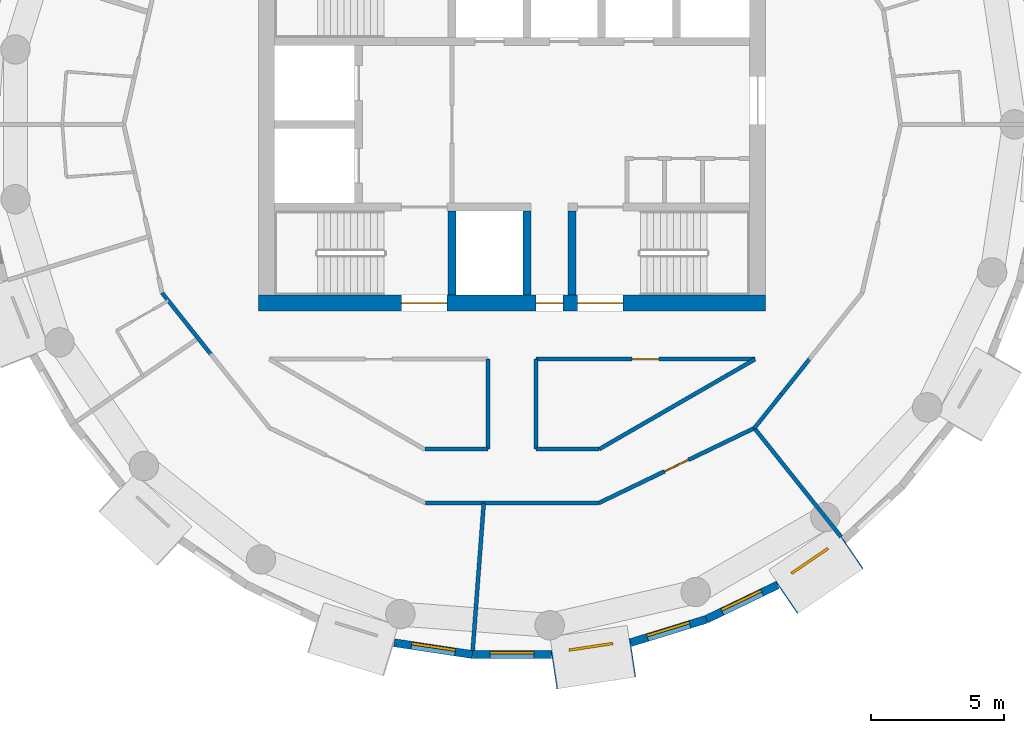
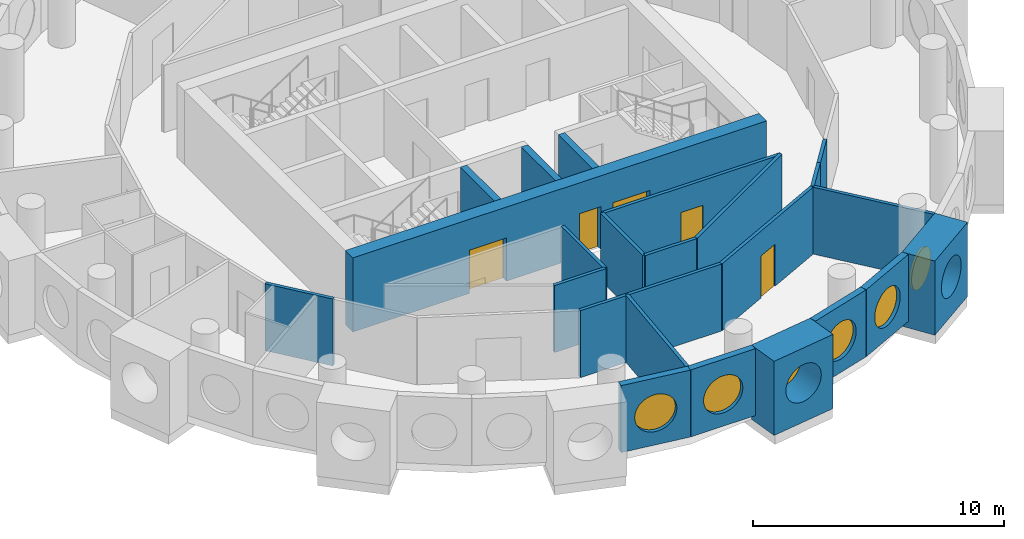
# One storey, part 4 of 12: 23 walls, 6 windows, 5 doors, 11 openings.
"""IFC4 building model written with IfcOpenShell, lengths in metres."""

import ifcopenshell
import ifcopenshell.guid

model = None  # the IFC model being written
_history = None  # IfcOwnerHistory: only IFC2X3 demands one
_inside = {}  # id of a spatial element -> (the spatial element, [elements in it])
_under = {}  # id of a project, library or spatial element -> (it, [spatial elements below it])
_declared = {}  # id of a project -> (the project, [libraries it declares])
_typed = {}  # id of a type object -> (the type object, [elements of that type])
_made_of = {}  # id of a material, layer set ... -> (it, [elements and type objects made of it])


def new_model(schema):
    """Start an empty IFC model of exactly this schema.

    Asked for "IFC4X3", IfcOpenShell would pick the latest addendum, in which some entities
    have other attributes; the version numbers below select the first issue.
    IFC2X3 requires an IfcOwnerHistory on every rooted entity: one is made here for all.
    """
    global model, _history
    if schema == "IFC4X3":
        model = ifcopenshell.file(schema_version=(4, 3, 0, 0))
    else:
        model = ifcopenshell.file(schema=schema)
    _inside.clear()
    _under.clear()
    _declared.clear()
    _typed.clear()
    _made_of.clear()
    _history = None
    if model.schema == "IFC2X3":
        org = make("IfcOrganization", Name="unknown")
        user = make(
            "IfcPersonAndOrganization",
            ThePerson=make("IfcPerson", FamilyName="unknown"),
            TheOrganization=org,
        )
        app = make(
            "IfcApplication",
            ApplicationDeveloper=org,
            Version="unknown",
            ApplicationFullName="unknown",
            ApplicationIdentifier="unknown",
        )
        _history = make(
            "IfcOwnerHistory",
            OwningUser=user,
            OwningApplication=app,
            ChangeAction="ADDED",
            CreationDate=0,
        )
    return model


def make(cls, **values):
    """One entity of the class cls with the attributes given. An attribute that is None is left unset."""
    return model.create_entity(
        cls, **{name: value for name, value in values.items() if value is not None}
    )


def rooted(cls, **values):
    """An entity with a GlobalId (a new one), such as an element, a storey or a relation."""
    return make(cls, GlobalId=ifcopenshell.guid.new(), OwnerHistory=_history, **values)


def si_unit(unit_type, name, prefix=None):
    """IfcSIUnit, for example si_unit("LENGTHUNIT", "METRE", prefix="MILLI")."""
    return make("IfcSIUnit", UnitType=unit_type, Prefix=prefix, Name=name)


def assignment(units):
    """IfcUnitAssignment: the units of a project."""
    return None if units is None else make("IfcUnitAssignment", Units=units)


def point(xyz):
    """IfcCartesianPoint."""
    return None if xyz is None else make("IfcCartesianPoint", Coordinates=xyz)


def direction(xyz):
    """IfcDirection."""
    return None if xyz is None else make("IfcDirection", DirectionRatios=xyz)


def frame(location, z_axis=None, x_axis=None):
    """IfcAxis2Placement3D, a coordinate frame: its origin and axes. An axis left out is left unset."""
    return make(
        "IfcAxis2Placement3D",
        Location=point(location),
        Axis=direction(z_axis),
        RefDirection=direction(x_axis),
    )


def frame_2d(location, x_axis=None):
    """IfcAxis2Placement2D, a coordinate frame in the plane: its origin and x axis."""
    return make(
        "IfcAxis2Placement2D", Location=point(location), RefDirection=direction(x_axis)
    )


def origin():
    """The frame at (0, 0, 0) with its axes left unset."""
    return frame((0.0, 0.0, 0.0))


def origin_2d():
    """The frame at (0, 0) in the plane with its x axis left unset."""
    return frame_2d((0.0, 0.0))


def place(relative_to, where):
    """IfcLocalPlacement: puts the frame where relative to a parent placement (None: the world)."""
    return make(
        "IfcLocalPlacement", PlacementRelTo=relative_to, RelativePlacement=where
    )


def context(
    kind, dimensions, precision=None, world=None, true_north=None, identifier=None
):
    """IfcGeometricRepresentationContext, for example the 3D "Model" context."""
    return make(
        "IfcGeometricRepresentationContext",
        ContextIdentifier=identifier,
        ContextType=kind,
        CoordinateSpaceDimension=dimensions,
        Precision=precision,
        WorldCoordinateSystem=world,
        TrueNorth=true_north,
    )


def subcontext(parent, identifier, kind, view, scale=None):
    """IfcGeometricRepresentationSubContext, for example "Body" below "Model"."""
    return make(
        "IfcGeometricRepresentationSubContext",
        ContextIdentifier=identifier,
        ContextType=kind,
        ParentContext=parent,
        TargetScale=scale,
        TargetView=view,
    )


def project(units=None, contexts=None):
    """IfcProject with its units and contexts."""
    return rooted(
        "IfcProject",
        Name="project",
        RepresentationContexts=contexts,
        UnitsInContext=assignment(units),
    )


def spatial(cls, under=None, at=None, **own):
    """A site, building, storey or space (cls), placed at a placement, below another one or the project."""
    s = rooted(cls, ObjectPlacement=at, **own)
    if under is not None:
        _under.setdefault(under.id(), (under, []))[1].append(s)
    return s


def profile(cls, at=None, kind="AREA", **sizes):
    """A parametric profile (cls). Its sizes go by their IFC names, for example OverallWidth=200.0."""
    return make(cls, ProfileType=kind, Position=at, **sizes)


def rectangle(**sizes):
    """IfcRectangleProfileDef."""
    return profile("IfcRectangleProfileDef", **sizes)


def circle(**sizes):
    """IfcCircleProfileDef."""
    return profile("IfcCircleProfileDef", **sizes)


def extrude(swept, where, along, depth):
    """IfcExtrudedAreaSolid: the profile swept, set in the frame where, extruded along a direction by depth."""
    return make(
        "IfcExtrudedAreaSolid",
        SweptArea=swept,
        Position=where,
        ExtrudedDirection=direction(along),
        Depth=depth,
    )


def shape(context_of_items, identifier, shape_type, items):
    """IfcShapeRepresentation: the items that make up one representation, for example the "Body"."""
    return make(
        "IfcShapeRepresentation",
        ContextOfItems=context_of_items,
        RepresentationIdentifier=identifier,
        RepresentationType=shape_type,
        Items=items,
    )


def material(Name=None, Category=None):
    """IfcMaterial."""
    return make("IfcMaterial", Name=Name, Category=Category)


def layer(
    of_material, thickness, ventilated=None, Name=None, Category=None, Priority=None
):
    """IfcMaterialLayer: one layer of a wall or slab, of a material (None: an air gap)."""
    return make(
        "IfcMaterialLayer",
        Material=of_material,
        LayerThickness=thickness,
        IsVentilated=ventilated,
        Name=Name,
        Category=Category,
        Priority=Priority,
    )


def layer_set(layers, Name=None):
    """IfcMaterialLayerSet."""
    return make("IfcMaterialLayerSet", MaterialLayers=layers, LayerSetName=Name)


def made_of(thing, what):
    """Note that an element or type object is made of a material, layer set ...; save() writes the relation."""
    if what is not None:
        _made_of.setdefault(what.id(), (what, []))[1].append(thing)
    return thing


def type_object(cls, material=None, **own):
    """A type object (cls), such as IfcWallType, which elements share."""
    return made_of(rooted(cls, **own), material)


def element(
    cls,
    number,
    at=None,
    inside=None,
    cuts=None,
    type_object=None,
    material=None,
    context=None,
    identifier="Body",
    shape_type=None,
    held_by="IfcProductDefinitionShape",
    body=None,
    shapes=None,
    **own,
):
    """One element of the class cls, such as IfcWall. Its Tag is "e" and its number.

    at: its placement. inside: the storey or other place that contains it. cuts: it is an
    opening in that element (IfcRelVoidsElement). A single representation is given by context,
    identifier, shape_type and body (its items); several are given by shapes. held_by: the class
    of the entity that holds the representations. save() writes the other relations.
    """
    e = rooted(cls, Tag="e%d" % number, ObjectPlacement=at, **own)
    if body is not None:
        shapes = [shape(context, identifier, shape_type, body)]
    if shapes is not None:
        e.Representation = make(held_by, Representations=shapes)
    if inside is not None:
        _inside.setdefault(inside.id(), (inside, []))[1].append(e)
    if cuts is not None:
        rooted(
            "IfcRelVoidsElement", RelatingBuildingElement=cuts, RelatedOpeningElement=e
        )
    if type_object is not None:
        _typed.setdefault(type_object.id(), (type_object, []))[1].append(e)
    return made_of(e, material)


def fill(opening, filler):
    """IfcRelFillsElement: the door or window that sits in an opening."""
    return rooted(
        "IfcRelFillsElement",
        RelatingOpeningElement=opening,
        RelatedBuildingElement=filler,
    )


def aggregate(whole, parts):
    """IfcRelAggregates: a whole, such as a stair, and the parts it consists of."""
    return rooted("IfcRelAggregates", RelatingObject=whole, RelatedObjects=parts)


def save(model, path):
    """Write the relations noted so far, then the file.

    IfcRelAggregates (storeys below a building ...), IfcRelContainedInSpatialStructure (elements
    in a storey), IfcRelDefinesByType, IfcRelAssociatesMaterial and IfcRelDeclares: one each for
    every whole, place, type object, material and project.
    """
    for whole, parts in _under.values():
        aggregate(whole, parts)
    for where, things in _inside.values():
        rooted(
            "IfcRelContainedInSpatialStructure",
            RelatedElements=things,
            RelatingStructure=where,
        )
    for kind, things in _typed.values():
        rooted("IfcRelDefinesByType", RelatedObjects=things, RelatingType=kind)
    for what, things in _made_of.values():
        rooted("IfcRelAssociatesMaterial", RelatedObjects=things, RelatingMaterial=what)
    for by, libraries in _declared.values():
        rooted("IfcRelDeclares", RelatingContext=by, RelatedDefinitions=libraries)
    model.write(path)


model = new_model("IFC4")

# Units and contexts
model_context = context("Model", 3, precision=1e-05, world=origin(), true_north=direction((0.0, 1.0)))
body_context = subcontext(model_context, "Body", "Model", "MODEL_VIEW")
ifc_project = project(units=[si_unit("LENGTHUNIT", "METRE"), si_unit("AREAUNIT", "SQUARE_METRE"), si_unit("VOLUMEUNIT", "CUBIC_METRE"), si_unit("PLANEANGLEUNIT", "RADIAN"), si_unit("MASSUNIT", "GRAM", prefix="KILO")], contexts=[model_context])

# Site, building, storey
site_placement = place(None, origin())
site = spatial("IfcSite", under=ifc_project, at=site_placement, CompositionType="ELEMENT")
building_placement = place(site_placement, origin())
building = spatial("IfcBuilding", under=site, at=building_placement, Name="Tracery Tower", CompositionType="ELEMENT")
storey_placement = place(building_placement, frame((0.0, 0.0, 234.60009765625)))
storey = spatial("IfcBuildingStorey", under=building, at=storey_placement, Name="L60", CompositionType="ELEMENT", Elevation=234.60009765625)

# Wall, openings, doors
ifc_material_1 = material(Name="Concrete C40/50", Category="concrete")
ifc_layer_1 = layer(ifc_material_1, 0.60009765625)
ifc_layer_set_1 = layer_set([ifc_layer_1], Name="Core wall 600 C40")
wall_type_1 = type_object("IfcWallType", Name="Core wall 600 C40", PredefinedType="SOLIDWALL", material=ifc_layer_set_1)
wall_1_placement = place(storey_placement, frame((-9.5, -6.699951171875, 0.0), z_axis=(0.0, 0.0, 1.0), x_axis=(1.0, 0.0, 0.0)))
wall_1 = element("IfcWall", 1, at=wall_1_placement, inside=storey, type_object=wall_type_1, Name="L60 outer S", PredefinedType="SOLIDWALL", context=body_context, shape_type="SweptSolid", body=[
    extrude(rectangle(XDim=19.0, YDim=0.60009765625, at=frame_2d((9.5, 0.0))), origin(), (0.0, 0.0, 1.0), 3.599853515625),
])
opening_1_placement = place(wall_1_placement, frame((10.39990234375, 0.0, 0.0)))
opening_1 = element("IfcOpeningElement", 2, at=opening_1_placement, cuts=wall_1, Name="Opening KD16", PredefinedType="OPENING", context=body_context, shape_type="SweptSolid", body=[
    extrude(rectangle(XDim=1.0, YDim=2.10009765625, at=frame_2d((0.5, 1.050048828125))), frame((0.0, 0.300048828125, 0.0), z_axis=(0.0, -1.0, 0.0), x_axis=(1.0, 0.0, 0.0)), (0.0, 0.0, 1.0), 0.60009765625),
])
opening_2_placement = place(wall_1_placement, frame((5.35009765625, 0.0, 0.0)))
opening_2 = element("IfcOpeningElement", 3, at=opening_2_placement, cuts=wall_1, Name="Opening KD3", PredefinedType="OPENING", context=body_context, shape_type="SweptSolid", body=[
    extrude(rectangle(XDim=1.699951171875, YDim=2.10009765625, at=frame_2d((0.85009765625, 1.050048828125))), frame((0.0, 0.300048828125, 0.0), z_axis=(0.0, -1.0, 0.0), x_axis=(1.0, 0.0, 0.0)), (0.0, 0.0, 1.0), 0.60009765625),
])
opening_3_placement = place(wall_1_placement, frame((11.949951171875, 0.0, 0.0)))
opening_3 = element("IfcOpeningElement", 4, at=opening_3_placement, cuts=wall_1, Name="Opening KD3", PredefinedType="OPENING", context=body_context, shape_type="SweptSolid", body=[
    extrude(rectangle(XDim=1.699951171875, YDim=2.10009765625, at=frame_2d((0.85009765625, 1.050048828125))), frame((0.0, 0.300048828125, 0.0), z_axis=(0.0, -1.0, 0.0), x_axis=(1.0, 0.0, 0.0)), (0.0, 0.0, 1.0), 0.60009765625),
])
ifc_material_2 = material(Name="Steel fire door", Category="steel")
door_type_1 = type_object("IfcDoorType", Name="Core exit door 1000", OperationType="NOTDEFINED", PredefinedType="DOOR", material=ifc_material_2)
door_1_placement = place(opening_1_placement, origin())
door_1 = element("IfcDoor", 5, at=door_1_placement, inside=storey, type_object=door_type_1, Name="Core exit door", OperationType="SINGLE_SWING_LEFT", OverallHeight=2.10009765625, OverallWidth=1.0, PredefinedType="DOOR", context=body_context, shape_type="SweptSolid", body=[
    extrude(rectangle(XDim=1.0, YDim=2.10009765625, at=frame_2d((0.5, 1.050048828125))), frame((0.0, 0.02490234375, 0.0), z_axis=(0.0, -1.0, 0.0), x_axis=(1.0, 0.0, 0.0)), (0.0, 0.0, 1.0), 0.050048828125),
])
fill(opening_1, door_1)
ifc_material_3 = material(Name="Steel fire door", Category="steel")
door_type_2 = type_object("IfcDoorType", Name="Core stair door 1700 double", OperationType="NOTDEFINED", PredefinedType="DOOR", material=ifc_material_3)
door_2_placement = place(opening_2_placement, origin())
door_2 = element("IfcDoor", 6, at=door_2_placement, inside=storey, type_object=door_type_2, Name="Stair door ST1 exit", OperationType="DOUBLE_DOOR_SINGLE_SWING", OverallHeight=2.10009765625, OverallWidth=1.699951171875, PredefinedType="DOOR", context=body_context, shape_type="SweptSolid", body=[
    extrude(rectangle(XDim=1.699951171875, YDim=2.10009765625, at=frame_2d((0.85009765625, 1.050048828125))), frame((0.0, 0.02490234375, 0.0), z_axis=(0.0, -1.0, 0.0), x_axis=(1.0, 0.0, 0.0)), (0.0, 0.0, 1.0), 0.050048828125),
])
fill(opening_2, door_2)
door_3_placement = place(opening_3_placement, origin())
door_3 = element("IfcDoor", 7, at=door_3_placement, inside=storey, type_object=door_type_2, Name="Stair door ST2 exit", OperationType="DOUBLE_DOOR_SINGLE_SWING", OverallHeight=2.10009765625, OverallWidth=1.699951171875, PredefinedType="DOOR", context=body_context, shape_type="SweptSolid", body=[
    extrude(rectangle(XDim=1.699951171875, YDim=2.10009765625, at=frame_2d((0.85009765625, 1.050048828125))), frame((0.0, 0.02490234375, 0.0), z_axis=(0.0, -1.0, 0.0), x_axis=(1.0, 0.0, 0.0)), (0.0, 0.0, 1.0), 0.050048828125),
])
fill(opening_3, door_3)

# Wall, opening, window
ifc_material_4 = material(Name="Precast concrete C50/60", Category="concrete")
ifc_layer_2 = layer(ifc_material_4, 1.449951171875)
ifc_layer_set_2 = layer_set([ifc_layer_2], Name="Deep-set bay unit 3000 x 3600, slab edge 350")
wall_type_2 = type_object("IfcWallType", Name="Deep-set bay unit 3000 x 3600, slab edge 350", PredefinedType="ELEMENTEDWALL", material=ifc_layer_set_2)
wall_2_placement = place(storey_placement, frame((1.563232421875, -20.436279296875, -0.35009765625), z_axis=(0.0, 0.0, 1.0), x_axis=(0.988836445254, 0.149004981587, 0.0)))
wall_2 = element("IfcWall", 8, at=wall_2_placement, inside=storey, type_object=wall_type_2, Name="Deep-set bay unit 33 at L60", PredefinedType="ELEMENTEDWALL", context=body_context, shape_type="SweptSolid", body=[
    extrude(rectangle(XDim=3.0, YDim=1.449951171875, at=frame_2d((1.5, 0.0))), origin(), (0.0, 0.0, 1.0), 3.60009765625),
])
opening_4_placement = place(wall_2_placement, frame((1.5, 0.0, 1.89990234375)))
opening_4 = element("IfcOpeningElement", 9, at=opening_4_placement, cuts=wall_2, Name="Opening WN1", PredefinedType="OPENING", context=body_context, shape_type="SweptSolid", body=[
    extrude(circle(Radius=0.9000244140625, at=origin_2d()), frame((0.0, 0.73486328125, 0.0), z_axis=(0.0, -1.0, 0.0), x_axis=(1.0, 0.0, 0.0)), (0.0, 0.0, 1.0), 1.469970703125),
])
ifc_material_5 = material(Name="Aluminium frame with tinted double glazing", Category="aluminium")
window_type = type_object("IfcWindowType", Name="Round window 1800", PartitioningType="SINGLE_PANEL", PredefinedType="WINDOW", material=ifc_material_5)
window_1_placement = place(opening_4_placement, origin())
window_1 = element("IfcWindow", 10, at=window_1_placement, inside=storey, type_object=window_type, Name="Round window 33 at L60", OverallHeight=1.800048828125, OverallWidth=1.800048828125, PartitioningType="SINGLE_PANEL", PredefinedType="WINDOW", context=body_context, shape_type="SweptSolid", body=[
    extrude(circle(Radius=0.9000244140625, at=origin_2d()), frame((0.0, 0.69482421875, 0.0), z_axis=(0.0, -1.0, 0.0), x_axis=(1.0, 0.0, 0.0)), (0.0, 0.0, 1.0), 0.10009765625),
])
fill(opening_4, window_1)

wall_3_placement = place(storey_placement, frame((10.275390625, -17.734130859375, -0.35009765625), z_axis=(0.0, 0.0, 1.0), x_axis=(0.826246281157, 0.563309047392, 0.0)))
wall_3 = element("IfcWall", 11, at=wall_3_placement, inside=storey, type_object=wall_type_2, Name="Deep-set bay unit 36 at L60", PredefinedType="ELEMENTEDWALL", context=body_context, shape_type="SweptSolid", body=[
    extrude(rectangle(XDim=3.0, YDim=1.449951171875, at=frame_2d((1.5, 0.0))), origin(), (0.0, 0.0, 1.0), 3.60009765625),
])
opening_5_placement = place(wall_3_placement, frame((1.5, 0.0, 1.89990234375)))
opening_5 = element("IfcOpeningElement", 12, at=opening_5_placement, cuts=wall_3, Name="Opening WN1", PredefinedType="OPENING", context=body_context, shape_type="SweptSolid", body=[
    extrude(circle(Radius=0.9000244140625, at=origin_2d()), frame((0.0, 0.73486328125, 0.0), z_axis=(0.0, -1.0, 0.0), x_axis=(1.0, 0.0, 0.0)), (0.0, 0.0, 1.0), 1.469970703125),
])
window_2_placement = place(opening_5_placement, origin())
window_2 = element("IfcWindow", 13, at=window_2_placement, inside=storey, type_object=window_type, Name="Round window 36 at L60", OverallHeight=1.800048828125, OverallWidth=1.800048828125, PartitioningType="SINGLE_PANEL", PredefinedType="WINDOW", context=body_context, shape_type="SweptSolid", body=[
    extrude(circle(Radius=0.9000244140625, at=origin_2d()), frame((0.0, 0.69482421875, 0.0), z_axis=(0.0, -1.0, 0.0), x_axis=(1.0, 0.0, 0.0)), (0.0, 0.0, 1.0), 0.10009765625),
])
fill(opening_5, window_2)

ifc_material_6 = material(Name="Precast concrete C50/60", Category="concrete")
ifc_layer_3 = layer(ifc_material_6, 0.300048828125)
ifc_layer_set_3 = layer_set([ifc_layer_3], Name="Facade panel 3000 x 3250")
wall_type_3 = type_object("IfcWallType", Name="Facade panel 3000 x 3250", PredefinedType="SOLIDWALL", material=ifc_layer_set_3)
wall_4_placement = place(storey_placement, frame((-4.41796875, -19.424560546875, 0.0), z_axis=(0.0, 0.0, 1.0), x_axis=(0.988835775663, -0.149009425104, 0.0)))
wall_4 = element("IfcWall", 14, at=wall_4_placement, inside=storey, type_object=wall_type_3, Name="Facade panel 31 at L60", PredefinedType="SOLIDWALL", context=body_context, shape_type="SweptSolid", body=[
    extrude(rectangle(XDim=2.962158203125, YDim=0.300048828125, at=frame_2d((1.48095703125, 0.0))), origin(), (0.0, 0.0, 1.0), 3.25),
])
opening_6_placement = place(wall_4_placement, frame((1.48095703125, 0.0, 1.5498046875)))
opening_6 = element("IfcOpeningElement", 15, at=opening_6_placement, cuts=wall_4, Name="Opening WN1", PredefinedType="OPENING", context=body_context, shape_type="SweptSolid", body=[
    extrude(circle(Radius=0.9000244140625, at=origin_2d()), frame((0.0, 0.159912109375, 0.0), z_axis=(0.0, -1.0, 0.0), x_axis=(1.0, 0.0, 0.0)), (0.0, 0.0, 1.0), 0.320068359375),
])
window_3_placement = place(opening_6_placement, origin())
window_3 = element("IfcWindow", 16, at=window_3_placement, inside=storey, type_object=window_type, Name="Round window 31 at L60", OverallHeight=1.800048828125, OverallWidth=1.800048828125, PartitioningType="SINGLE_PANEL", PredefinedType="WINDOW", context=body_context, shape_type="SweptSolid", body=[
    extrude(circle(Radius=0.9000244140625, at=origin_2d()), frame((0.0, 0.1201171875, 0.0), z_axis=(0.0, -1.0, 0.0), x_axis=(1.0, 0.0, 0.0)), (0.0, 0.0, 1.0), 0.10009765625),
])
fill(opening_6, window_3)

wall_5_placement = place(storey_placement, frame((-1.48876953125, -19.865966796875, 0.0), z_axis=(0.0, 0.0, 1.0), x_axis=(1.0, 0.0, 0.0)))
wall_5 = element("IfcWall", 17, at=wall_5_placement, inside=storey, type_object=wall_type_3, Name="Facade panel 32 at L60", PredefinedType="SOLIDWALL", context=body_context, shape_type="SweptSolid", body=[
    extrude(rectangle(XDim=2.962158203125, YDim=0.300048828125, at=frame_2d((1.48095703125, 0.0))), origin(), (0.0, 0.0, 1.0), 3.25),
])
opening_7_placement = place(wall_5_placement, frame((1.48095703125, 0.0, 1.5498046875)))
opening_7 = element("IfcOpeningElement", 18, at=opening_7_placement, cuts=wall_5, Name="Opening WN1", PredefinedType="OPENING", context=body_context, shape_type="SweptSolid", body=[
    extrude(circle(Radius=0.9000244140625, at=origin_2d()), frame((0.0, 0.159912109375, 0.0), z_axis=(0.0, -1.0, 0.0), x_axis=(1.0, 0.0, 0.0)), (0.0, 0.0, 1.0), 0.320068359375),
])
window_4_placement = place(opening_7_placement, origin())
window_4 = element("IfcWindow", 19, at=window_4_placement, inside=storey, type_object=window_type, Name="Round window 32 at L60", OverallHeight=1.800048828125, OverallWidth=1.800048828125, PartitioningType="SINGLE_PANEL", PredefinedType="WINDOW", context=body_context, shape_type="SweptSolid", body=[
    extrude(circle(Radius=0.9000244140625, at=origin_2d()), frame((0.0, 0.1201171875, 0.0), z_axis=(0.0, -1.0, 0.0), x_axis=(1.0, 0.0, 0.0)), (0.0, 0.0, 1.0), 0.10009765625),
])
fill(opening_7, window_4)

wall_6_placement = place(storey_placement, frame((4.447509765625, -19.417724609375, 0.0), z_axis=(0.0, 0.0, 1.0), x_axis=(0.95558635705, 0.294711238707, 0.0)))
wall_6 = element("IfcWall", 20, at=wall_6_placement, inside=storey, type_object=wall_type_3, Name="Facade panel 34 at L60", PredefinedType="SOLIDWALL", context=body_context, shape_type="SweptSolid", body=[
    extrude(rectangle(XDim=2.96240234375, YDim=0.300048828125, at=frame_2d((1.481201171875, 0.0))), origin(), (0.0, 0.0, 1.0), 3.25),
])
opening_8_placement = place(wall_6_placement, frame((1.48095703125, 0.0, 1.5498046875)))
opening_8 = element("IfcOpeningElement", 21, at=opening_8_placement, cuts=wall_6, Name="Opening WN1", PredefinedType="OPENING", context=body_context, shape_type="SweptSolid", body=[
    extrude(circle(Radius=0.9000244140625, at=origin_2d()), frame((0.0, 0.159912109375, 0.0), z_axis=(0.0, -1.0, 0.0), x_axis=(1.0, 0.0, 0.0)), (0.0, 0.0, 1.0), 0.320068359375),
])
window_5_placement = place(opening_8_placement, origin())
window_5 = element("IfcWindow", 22, at=window_5_placement, inside=storey, type_object=window_type, Name="Round window 34 at L60", OverallHeight=1.800048828125, OverallWidth=1.800048828125, PartitioningType="SINGLE_PANEL", PredefinedType="WINDOW", context=body_context, shape_type="SweptSolid", body=[
    extrude(circle(Radius=0.9000244140625, at=origin_2d()), frame((0.0, 0.1201171875, 0.0), z_axis=(0.0, -1.0, 0.0), x_axis=(1.0, 0.0, 0.0)), (0.0, 0.0, 1.0), 0.10009765625),
])
fill(opening_8, window_5)

wall_7_placement = place(storey_placement, frame((7.2783203125, -18.544677734375, 0.0), z_axis=(0.0, 0.0, 1.0), x_axis=(0.900939615635, 0.433944476838, 0.0)))
wall_7 = element("IfcWall", 23, at=wall_7_placement, inside=storey, type_object=wall_type_3, Name="Facade panel 35 at L60", PredefinedType="SOLIDWALL", context=body_context, shape_type="SweptSolid", body=[
    extrude(rectangle(XDim=2.962158203125, YDim=0.300048828125, at=frame_2d((1.48095703125, 0.0))), origin(), (0.0, 0.0, 1.0), 3.25),
])
opening_9_placement = place(wall_7_placement, frame((1.48095703125, 0.0, 1.5498046875)))
opening_9 = element("IfcOpeningElement", 24, at=opening_9_placement, cuts=wall_7, Name="Opening WN1", PredefinedType="OPENING", context=body_context, shape_type="SweptSolid", body=[
    extrude(circle(Radius=0.9000244140625, at=origin_2d()), frame((0.0, 0.159912109375, 0.0), z_axis=(0.0, -1.0, 0.0), x_axis=(1.0, 0.0, 0.0)), (0.0, 0.0, 1.0), 0.320068359375),
])
window_6_placement = place(opening_9_placement, origin())
window_6 = element("IfcWindow", 25, at=window_6_placement, inside=storey, type_object=window_type, Name="Round window 35 at L60", OverallHeight=1.800048828125, OverallWidth=1.800048828125, PartitioningType="SINGLE_PANEL", PredefinedType="WINDOW", context=body_context, shape_type="SweptSolid", body=[
    extrude(circle(Radius=0.9000244140625, at=origin_2d()), frame((0.0, 0.1201171875, 0.0), z_axis=(0.0, -1.0, 0.0), x_axis=(1.0, 0.0, 0.0)), (0.0, 0.0, 1.0), 0.10009765625),
])
fill(opening_9, window_6)

# Walls
ifc_material_7 = material(Name="Plasterboard on steel studs", Category="steel")
ifc_layer_4 = layer(ifc_material_7, 0.14990234375)
ifc_layer_set_4 = layer_set([ifc_layer_4], Name="Partition 150 acoustic unit wall")
wall_type_4 = type_object("IfcWallType", Name="Partition 150 acoustic unit wall", PredefinedType="PARTITIONING", material=ifc_layer_set_4)
wall_8_placement = place(storey_placement, frame((-1.47802734375, -19.716064453125, 0.0), z_axis=(0.0, 0.0, 1.0), x_axis=(0.074745027699, 0.997202677912, 0.0)))
element("IfcWall", 26, at=wall_8_placement, inside=storey, type_object=wall_type_4, Name="Unit wall RC1-069", PredefinedType="PARTITIONING", context=body_context, shape_type="SweptSolid", body=[
    extrude(rectangle(XDim=5.53955078125, YDim=0.14990234375, at=frame_2d((2.769775390625, 0.0))), origin(), (0.0, 0.0, 1.0), 3.25),
])
wall_9_placement = place(storey_placement, frame((9.075927734375, -11.381103515625, 0.0), z_axis=(0.0, 0.0, 1.0), x_axis=(0.623460949534, -0.781854490558, 0.0)))
element("IfcWall", 27, at=wall_9_placement, inside=storey, type_object=wall_type_4, Name="Unit wall RC1-070", PredefinedType="PARTITIONING", context=body_context, shape_type="SweptSolid", body=[
    extrude(rectangle(XDim=5.21435546875, YDim=0.14990234375, at=frame_2d((2.607177734375, 0.0))), origin(), (0.0, 0.0, 1.0), 3.25),
])

# Wall, opening, door
ifc_material_8 = material(Name="Plasterboard on steel studs", Category="steel")
ifc_layer_5 = layer(ifc_material_8, 0.14990234375)
ifc_layer_set_5 = layer_set([ifc_layer_5], Name="Partition 150 corridor wall")
wall_type_5 = type_object("IfcWallType", Name="Partition 150 corridor wall", PredefinedType="PARTITIONING", material=ifc_layer_set_5)
wall_10_placement = place(storey_placement, frame((0.89599609375, -8.800048828125, 0.0), z_axis=(0.0, 0.0, 1.0), x_axis=(1.0, 0.0, 0.0)))
wall_10 = element("IfcWall", 28, at=wall_10_placement, inside=storey, type_object=wall_type_5, Name="Corridor wall RC1-014", PredefinedType="PARTITIONING", context=body_context, shape_type="SweptSolid", body=[
    extrude(rectangle(XDim=8.20458984375, YDim=0.14990234375, at=frame_2d((4.102294921875, 0.0))), origin(), (0.0, 0.0, 1.0), 3.25),
])
opening_10_placement = place(wall_10_placement, frame((3.597900390625, 0.0, 0.0)))
opening_10 = element("IfcOpeningElement", 29, at=opening_10_placement, cuts=wall_10, Name="Opening RC1-04", PredefinedType="OPENING", context=body_context, shape_type="SweptSolid", body=[
    extrude(rectangle(XDim=1.0, YDim=2.0400390625, at=frame_2d((0.5, 1.02001953125))), frame((0.0, 0.074951171875, 0.0), z_axis=(0.0, -1.0, 0.0), x_axis=(1.0, 0.0, 0.0)), (0.0, 0.0, 1.0), 0.14990234375),
])
ifc_material_9 = material(Name="Timber door leaf", Category="wood")
door_type_3 = type_object("IfcDoorType", Name="Door communal room 1000", OperationType="NOTDEFINED", PredefinedType="DOOR", material=ifc_material_9)
door_4_placement = place(opening_10_placement, origin())
door_4 = element("IfcDoor", 30, at=door_4_placement, inside=storey, type_object=door_type_3, Name="Communal room door RC1-04", OperationType="SINGLE_SWING_RIGHT", OverallHeight=2.0400390625, OverallWidth=1.0, PredefinedType="DOOR", context=body_context, shape_type="SweptSolid", body=[
    extrude(rectangle(XDim=1.0, YDim=2.0400390625, at=frame_2d((0.5, 1.02001953125))), frame((0.0, 0.02490234375, 0.0), z_axis=(0.0, -1.0, 0.0), x_axis=(1.0, 0.0, 0.0)), (0.0, 0.0, 1.0), 0.050048828125),
])
fill(opening_10, door_4)

# Walls
wall_11_placement = place(storey_placement, frame((10.10107421875, -10.10107421875, 0.0), z_axis=(0.0, 0.0, 1.0), x_axis=(0.623098344652, 0.782143498913, 0.0)))
element("IfcWall", 31, at=wall_11_placement, inside=storey, type_object=wall_type_5, Name="Corridor wall RC1-020", PredefinedType="PARTITIONING", context=body_context, shape_type="SweptSolid", body=[
    extrude(rectangle(XDim=1.660888671875, YDim=0.14990234375, at=frame_2d((0.83056640625, 0.0))), origin(), (0.0, 0.0, 1.0), 3.25),
])
wall_12_placement = place(storey_placement, frame((-13.114990234375, -6.31591796875, 0.0), z_axis=(0.0, 0.0, 1.0), x_axis=(0.622042479172, -0.782983495423, 0.0)))
element("IfcWall", 32, at=wall_12_placement, inside=storey, type_object=wall_type_5, Name="Corridor wall RC1-036", PredefinedType="PARTITIONING", context=body_context, shape_type="SweptSolid", body=[
    extrude(rectangle(XDim=2.9111328125, YDim=0.14990234375, at=frame_2d((1.45556640625, 0.0))), origin(), (0.0, 0.0, 1.0), 3.25),
])
wall_13_placement = place(storey_placement, frame((-3.260986328125, -12.1708984375, 0.0), z_axis=(0.0, 0.0, 1.0), x_axis=(1.0, 0.0, 0.0)))
element("IfcWall", 33, at=wall_13_placement, inside=storey, type_object=wall_type_5, Name="Corridor wall RC1-037", PredefinedType="PARTITIONING", context=body_context, shape_type="SweptSolid", body=[
    extrude(rectangle(XDim=2.361083984375, YDim=0.14990234375, at=frame_2d((1.1806640625, 0.0))), origin(), (0.0, 0.0, 1.0), 3.25),
])
for number, where, z_axis, x_axis, name in (
    (34, (-0.89990234375, -12.1708984375, 0.0), (0.0, 0.0, 1.0), (0.0, 1.0, 0.0), "Corridor wall RC1-038"),
    (35, (0.89990234375, -12.1708984375, 0.0), (0.0, 0.0, 1.0), (0.0, 1.0, 0.0), "Corridor wall RC1-039"),
):
    element("IfcWall", number, at=place(storey_placement, frame(where, z_axis=z_axis, x_axis=x_axis)), inside=storey, type_object=wall_type_5, Name=name, PredefinedType="PARTITIONING", context=body_context, shape_type="SweptSolid", body=[
        extrude(rectangle(XDim=3.370849609375, YDim=0.14990234375, at=frame_2d((1.685546875, 0.0))), origin(), (0.0, 0.0, 1.0), 3.25),
    ])
wall_14_placement = place(storey_placement, frame((0.89990234375, -12.1708984375, 0.0), z_axis=(0.0, 0.0, 1.0), x_axis=(1.0, 0.0, 0.0)))
element("IfcWall", 36, at=wall_14_placement, inside=storey, type_object=wall_type_5, Name="Corridor wall RC1-040", PredefinedType="PARTITIONING", context=body_context, shape_type="SweptSolid", body=[
    extrude(rectangle(XDim=2.361083984375, YDim=0.14990234375, at=frame_2d((1.1806640625, 0.0))), origin(), (0.0, 0.0, 1.0), 3.25),
])
wall_15_placement = place(storey_placement, frame((3.260986328125, -12.1708984375, 0.0), z_axis=(0.0, 0.0, 1.0), x_axis=(0.866066809554, 0.499928276245, 0.0)))
element("IfcWall", 37, at=wall_15_placement, inside=storey, type_object=wall_type_5, Name="Corridor wall RC1-041", PredefinedType="PARTITIONING", context=body_context, shape_type="SweptSolid", body=[
    extrude(rectangle(XDim=6.74267578125, YDim=0.14990234375, at=frame_2d((3.371337890625, 0.0))), origin(), (0.0, 0.0, 1.0), 3.25),
])
wall_16_placement = place(storey_placement, frame((-3.239013671875, -14.19189453125, 0.0), z_axis=(0.0, 0.0, 1.0), x_axis=(1.0, 0.0, 0.0)))
element("IfcWall", 38, at=wall_16_placement, inside=storey, type_object=wall_type_5, Name="Corridor wall RC1-042", PredefinedType="PARTITIONING", context=body_context, shape_type="SweptSolid", body=[
    extrude(rectangle(XDim=6.47802734375, YDim=0.14990234375, at=frame_2d((3.239013671875, 0.0))), origin(), (0.0, 0.0, 1.0), 3.25),
])

# Wall, opening, door
wall_17_placement = place(storey_placement, frame((3.239013671875, -14.19189453125, 0.0), z_axis=(0.0, 0.0, 1.0), x_axis=(0.900976027191, 0.433868872388, 0.0)))
wall_17 = element("IfcWall", 39, at=wall_17_placement, inside=storey, type_object=wall_type_5, Name="Corridor wall RC1-044", PredefinedType="PARTITIONING", context=body_context, shape_type="SweptSolid", body=[
    extrude(rectangle(XDim=6.478515625, YDim=0.14990234375, at=frame_2d((3.2392578125, 0.0))), origin(), (0.0, 0.0, 1.0), 3.25),
])
opening_11_placement = place(wall_17_placement, frame((2.739501953125, 0.0, 0.0)))
opening_11 = element("IfcOpeningElement", 40, at=opening_11_placement, cuts=wall_17, Name="Opening RC1-21", PredefinedType="OPENING", context=body_context, shape_type="SweptSolid", body=[
    extrude(rectangle(XDim=1.0, YDim=2.0400390625, at=frame_2d((0.5, 1.02001953125))), frame((0.0, 0.074951171875, 0.0), z_axis=(0.0, -1.0, 0.0), x_axis=(1.0, 0.0, 0.0)), (0.0, 0.0, 1.0), 0.14990234375),
])
door_5_placement = place(opening_11_placement, origin())
door_5 = element("IfcDoor", 41, at=door_5_placement, inside=storey, type_object=door_type_3, Name="Communal room door RC1-21", OperationType="SINGLE_SWING_LEFT", OverallHeight=2.0400390625, OverallWidth=1.0, PredefinedType="DOOR", context=body_context, shape_type="SweptSolid", body=[
    extrude(rectangle(XDim=1.0, YDim=2.0400390625, at=frame_2d((0.5, 1.02001953125))), frame((0.0, 0.02490234375, 0.0), z_axis=(0.0, -1.0, 0.0), x_axis=(1.0, 0.0, 0.0)), (0.0, 0.0, 1.0), 0.050048828125),
])
fill(opening_11, door_5)

# Walls
wall_18_placement = place(storey_placement, frame((9.075927734375, -11.381103515625, 0.0), z_axis=(0.0, 0.0, 1.0), x_axis=(0.623805208652, 0.781579849829, 0.0)))
element("IfcWall", 42, at=wall_18_placement, inside=storey, type_object=wall_type_5, Name="Corridor wall RC1-045", PredefinedType="PARTITIONING", context=body_context, shape_type="SweptSolid", body=[
    extrude(rectangle(XDim=1.64013671875, YDim=0.14990234375, at=frame_2d((0.820068359375, 0.0))), origin(), (0.0, 0.0, 1.0), 3.25),
])
ifc_material_10 = material(Name="Concrete C40/50", Category="concrete")
ifc_layer_6 = layer(ifc_material_10, 0.300048828125)
ifc_layer_set_6 = layer_set([ifc_layer_6], Name="Shaft wall 300 C40")
wall_type_6 = type_object("IfcWallType", Name="Shaft wall 300 C40", PredefinedType="SOLIDWALL", material=ifc_layer_set_6)
wall_19_placement = place(storey_placement, frame((0.550048828125, -6.39990234375, 0.0), z_axis=(0.0, 0.0, 1.0), x_axis=(0.0, 1.0, 0.0)))
element("IfcWall", 43, at=wall_19_placement, inside=storey, type_object=wall_type_6, Name="L60 OB2 E", PredefinedType="SOLIDWALL", context=body_context, shape_type="SweptSolid", body=[
    extrude(rectangle(XDim=3.14990234375, YDim=0.300048828125, at=frame_2d((1.574951171875, 0.0))), origin(), (0.0, 0.0, 1.0), 3.25),
])
ifc_material_11 = material(Name="Concrete C40/50", Category="concrete")
ifc_layer_7 = layer(ifc_material_11, 0.300048828125)
ifc_layer_set_7 = layer_set([ifc_layer_7], Name="Stair wall 300 C40")
wall_type_7 = type_object("IfcWallType", Name="Stair wall 300 C40", PredefinedType="SOLIDWALL", material=ifc_layer_set_7)
for number, where, z_axis, x_axis, name in (
    (44, (-2.25, -6.39990234375, 0.0), (0.0, 0.0, 1.0), (0.0, 1.0, 0.0), "L60 ST1 E"),
    (45, (2.25, -6.39990234375, 0.0), (0.0, 0.0, 1.0), (0.0, 1.0, 0.0), "L60 ST2 W"),
):
    element("IfcWall", number, at=place(storey_placement, frame(where, z_axis=z_axis, x_axis=x_axis)), inside=storey, type_object=wall_type_7, Name=name, PredefinedType="SOLIDWALL", context=body_context, shape_type="SweptSolid", body=[
        extrude(rectangle(XDim=3.14990234375, YDim=0.300048828125, at=frame_2d((1.574951171875, 0.0))), origin(), (0.0, 0.0, 1.0), 3.25),
    ])

save(model, "model.ifc")
